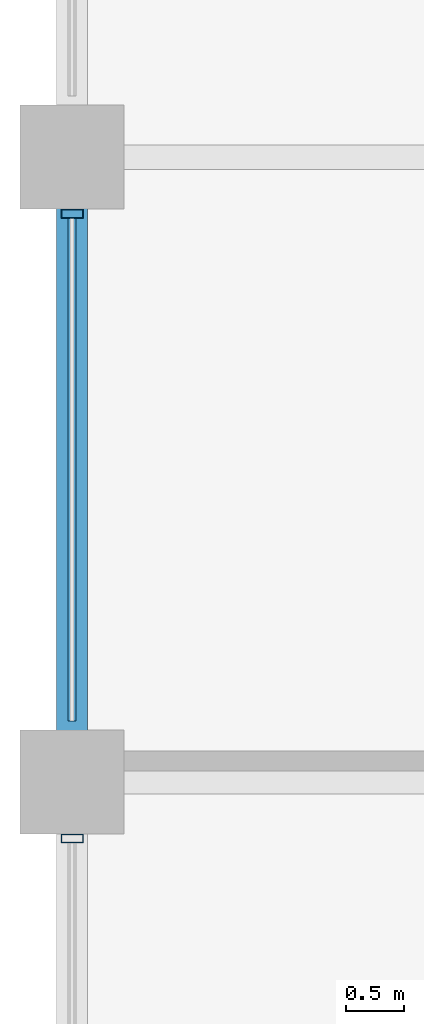
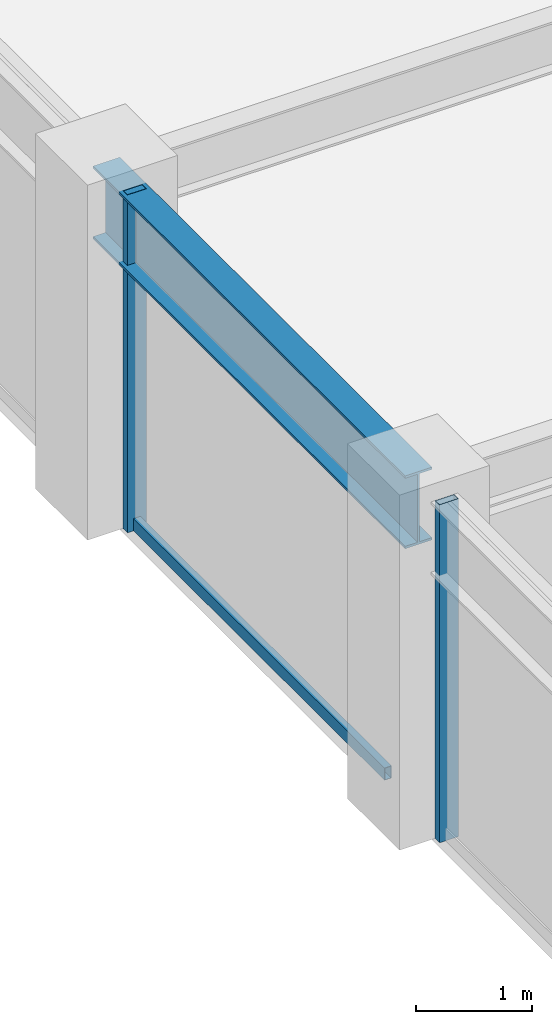
# One storey, part 10 of 32: 3 members, 1 beam, 1 element without a shape of its own.
"""IFC4 building model written with IfcOpenShell, lengths in metres."""

from ifc_helpers import new_model, si_unit, direction, frame, origin, origin_2d, place, context, subcontext, project, spatial, hollow_rectangle, i_section, extrude, material, layer, layer_set, material_profile, profile_set, type_object, element, aggregate, save


model = new_model("IFC4")

# Units and contexts
model_context = context("Model", 3, precision=1e-05, world=origin(), true_north=direction((0.0, 1.0)))
body_context = subcontext(model_context, "Body", "Model", "MODEL_VIEW")
ifc_project = project(units=[si_unit("LENGTHUNIT", "METRE"), si_unit("AREAUNIT", "SQUARE_METRE"), si_unit("VOLUMEUNIT", "CUBIC_METRE"), si_unit("PLANEANGLEUNIT", "RADIAN"), si_unit("MASSUNIT", "GRAM", prefix="KILO")], contexts=[model_context])

# Site, building, storey
site_placement = place(None, origin())
site = spatial("IfcSite", under=ifc_project, at=site_placement, CompositionType="ELEMENT")
building_placement = place(site_placement, origin())
building = spatial("IfcBuilding", under=site, at=building_placement, Name="Surkhivell Harbour Commons", CompositionType="ELEMENT")
storey_placement = place(building_placement, frame((0.0, 0.0, 204.75)))
storey = spatial("IfcBuildingStorey", under=building, at=storey_placement, Name="L53", CompositionType="ELEMENT", Elevation=204.75)

# Beam
ifc_material_1 = material(Name="Steel S355", Category="steel")
ifc_material_profile_1 = material_profile(ifc_material_1, i_section(OverallWidth=0.26806640625, OverallDepth=0.77001953125, WebThickness=0.015625, FlangeThickness=0.025390625, at=origin_2d()), Name="UB762x267x197")
ifc_profile_set_1 = profile_set([ifc_material_profile_1], Name="Steel S355")
beam_type = type_object("IfcBeamType", Name="BM-SPN-762", PredefinedType="SPANDREL", material=ifc_profile_set_1)
beam_placement = place(storey_placement, frame((-27.0, 5.39990234375, 3.18505859375), z_axis=(0.0, 1.0, 0.0), x_axis=(-1.0, 0.0, 0.0)))
element("IfcBeam", 1, at=beam_placement, inside=storey, type_object=beam_type, Name="L53 Tube Spandrel (-27.0,5.4)", PredefinedType="SPANDREL", context=body_context, shape_type="SweptSolid", body=[
    extrude(i_section(OverallWidth=0.26806640625, OverallDepth=0.77001953125, WebThickness=0.015625, FlangeThickness=0.025390625, at=origin_2d()), origin(), (0.0, 0.0, 1.0), 5.400146484375),
])

# Curtain wall, members
ifc_material_2 = material(Name="Anodised pale-metal aluminium and insulated glazing", Category="aluminium")
ifc_layer = layer(ifc_material_2, 0.18994140625)
ifc_layer_set = layer_set([ifc_layer], Name="Anodised pale-metal aluminium and insulated glazing")
curtain_wall_type = type_object("IfcCurtainWallType", Name="CW-SYS-Z3", PredefinedType="NOTDEFINED", material=ifc_layer_set)
curtain_wall_placement = place(storey_placement, origin())
curtain_wall = element("IfcCurtainWall", 2, at=curtain_wall_placement, inside=storey, type_object=curtain_wall_type, Name="L53 Curtain Wall CW-L53-E12S1", PredefinedType="NOTDEFINED")
ifc_material_3 = material(Name="Anodised pale-metal aluminium alloy 6063-T6", Category="aluminium")
ifc_material_profile_2 = material_profile(ifc_material_3, hollow_rectangle(XDim=0.074951171875, YDim=0.18994140625, WallThickness=0.00390625, at=origin_2d()), Name="ALU-MULL-75x190")
ifc_profile_set_2 = profile_set([ifc_material_profile_2], Name="Anodised pale-metal aluminium alloy 6063-T6")
member_type_1 = type_object("IfcMemberType", Name="CWM-190", PredefinedType="MULLION", material=ifc_profile_set_2)
member_1_placement = place(storey_placement, frame((-27.0, 10.310546875, 0.0), z_axis=(0.0, 0.0, 1.0), x_axis=(0.0, -1.0, 0.0)))
member_1 = element("IfcMember", 3, at=member_1_placement, type_object=member_type_1, Name="CW-Z3 mullion 3", PredefinedType="MULLION", context=body_context, shape_type="SweptSolid", body=[
    extrude(hollow_rectangle(XDim=0.074951171875, YDim=0.18994140625, WallThickness=0.00390625, at=origin_2d()), origin(), (0.0, 0.0, 1.0), 3.570068359375),
])
member_2_placement = place(storey_placement, frame((-27.0, 4.910400390625, 0.0), z_axis=(0.0, 0.0, 1.0), x_axis=(0.0, -1.0, 0.0)))
member_2 = element("IfcMember", 4, at=member_2_placement, type_object=member_type_1, Name="CW-Z3 mullion 4", PredefinedType="MULLION", context=body_context, shape_type="SweptSolid", body=[
    extrude(hollow_rectangle(XDim=0.074951171875, YDim=0.18994140625, WallThickness=0.00390625, at=origin_2d()), origin(), (0.0, 0.0, 1.0), 3.570068359375),
])
ifc_material_4 = material(Name="Champagne anodised aluminium alloy 6063-T6", Category="aluminium")
ifc_material_profile_3 = material_profile(ifc_material_4, hollow_rectangle(XDim=0.070068359375, YDim=0.1298828125, WallThickness=0.00341796875, at=origin_2d()), Name="ALU-TRAN-70x130")
ifc_profile_set_3 = profile_set([ifc_material_profile_3], Name="Champagne anodised aluminium alloy 6063-T6")
member_type_2 = type_object("IfcMemberType", Name="CWT-130", PredefinedType="USERDEFINED", material=ifc_profile_set_3)
member_3_placement = place(storey_placement, frame((-27.0, 10.27294921875, 0.06494140625), z_axis=(0.0, -1.0, 0.0), x_axis=(1.0, 0.0, 0.0)))
member_3 = element("IfcMember", 5, at=member_3_placement, type_object=member_type_2, Name="CW-Z3 transom 3.1", ObjectType="TRANSOM", PredefinedType="USERDEFINED", context=body_context, shape_type="SweptSolid", body=[
    extrude(hollow_rectangle(XDim=0.070068359375, YDim=0.1298828125, WallThickness=0.00341796875, at=origin_2d()), origin(), (0.0, 0.0, 1.0), 4.345947265625),
])
aggregate(curtain_wall, [member_1, member_3, member_2])

save(model, "model.ifc")
